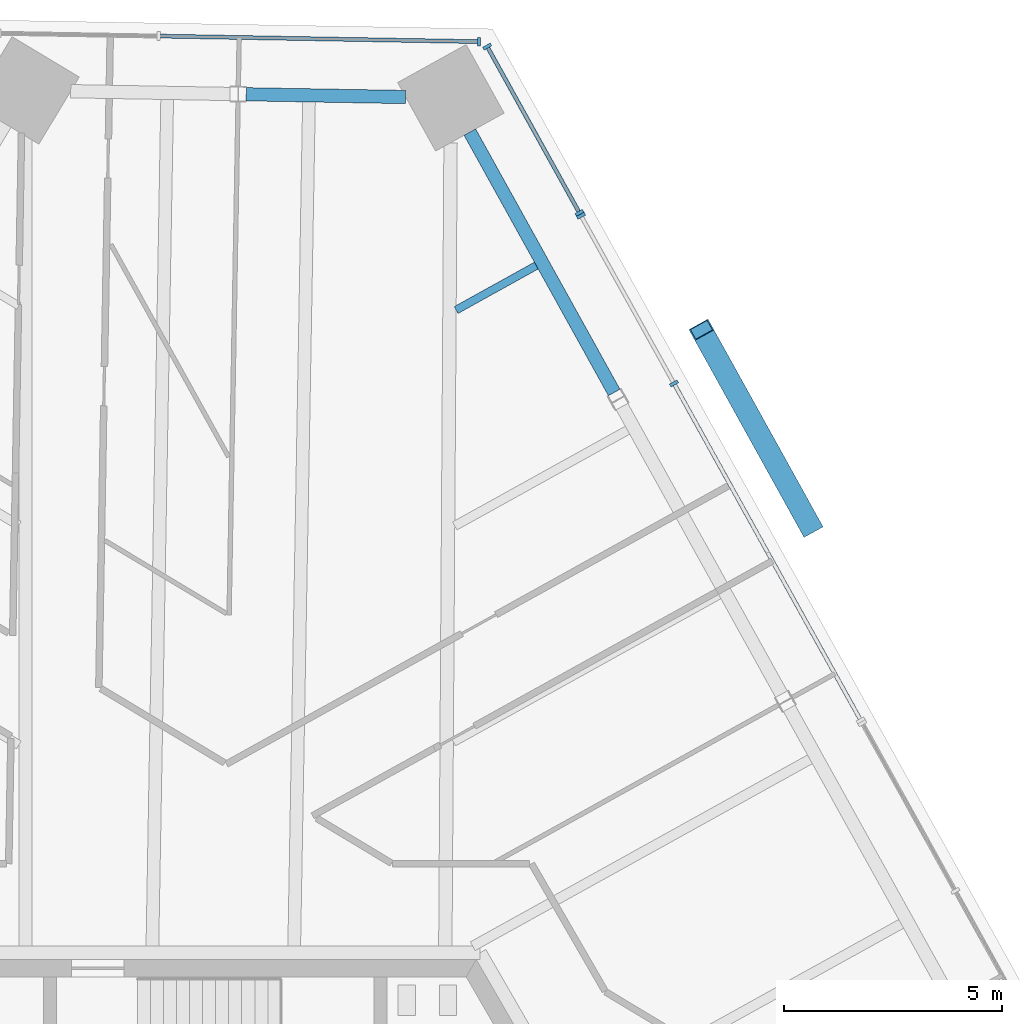
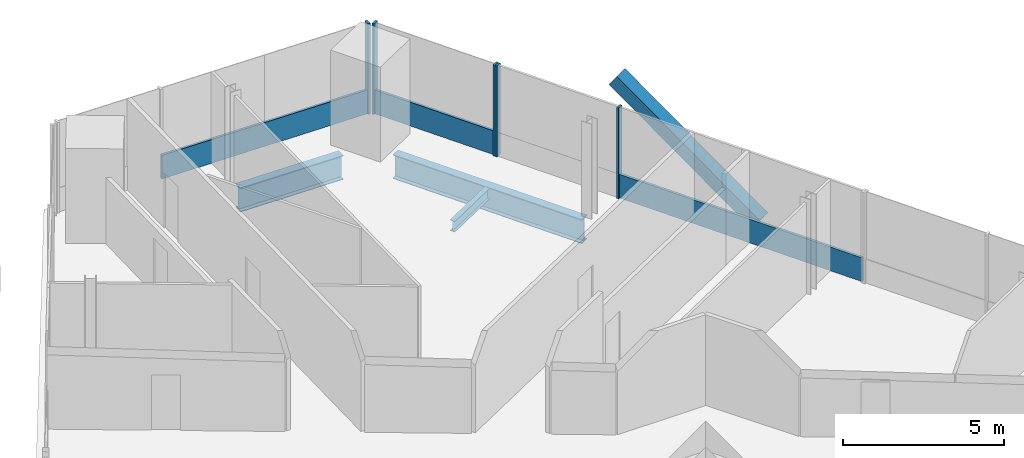
# One storey, part 9 of 19: 9 members, 3 beams, 3 elements without a shape of their own.
"""IFC4 building model written with IfcOpenShell, lengths in metres."""

from ifc_helpers import new_model, si_unit, direction, frame, origin, origin_2d, place, context, subcontext, project, spatial, rectangle, hollow_rectangle, i_section, extrude, source, transform, mapped, material, material_profile, profile_set, type_object, element, aggregate, save


model = new_model("IFC4")

# Units and contexts
model_context = context("Model", 3, precision=1e-05, world=origin(), true_north=direction((0.0, 1.0)))
body_context = subcontext(model_context, "Body", "Model", "MODEL_VIEW")
ifc_project = project(units=[si_unit("LENGTHUNIT", "METRE"), si_unit("AREAUNIT", "SQUARE_METRE"), si_unit("VOLUMEUNIT", "CUBIC_METRE"), si_unit("PLANEANGLEUNIT", "RADIAN"), si_unit("MASSUNIT", "GRAM", prefix="KILO")], contexts=[model_context])

# Site, building, storey
site_placement = place(None, origin())
site = spatial("IfcSite", under=ifc_project, at=site_placement, CompositionType="ELEMENT")
building_placement = place(site_placement, origin())
building = spatial("IfcBuilding", under=site, at=building_placement, Name="Triune Harvest Tower", CompositionType="ELEMENT")
storey_placement = place(building_placement, frame((0.0, 0.0, 205.10009765625)))
storey = spatial("IfcBuildingStorey", under=building, at=storey_placement, Name="L53", CompositionType="ELEMENT", Elevation=205.10009765625)

# Beams
ifc_material_1 = material(Name="Steel ASTM A992 Gr 50", Category="steel")
ifc_material_profile_1 = material_profile(ifc_material_1, i_section(OverallWidth=0.3046875, OverallDepth=0.914306640625, WebThickness=0.0166015625, FlangeThickness=0.02587890625, at=origin_2d()), Name="W36x160")
ifc_profile_set_1 = profile_set([ifc_material_profile_1], Name="Steel ASTM A992 Gr 50")
beam_type_1 = type_object("IfcBeamType", Name="SB-1 Spandrel beam W36x160", PredefinedType="SPANDREL", material=ifc_profile_set_1)
shared_shape_1 = source(origin(), body_context, "Body", "SweptSolid", [
    extrude(i_section(OverallWidth=0.3046875, OverallDepth=0.914306640625, WebThickness=0.0166015625, FlangeThickness=0.02587890625, at=origin_2d()), origin(), (0.0, 0.0, 1.0), 6.841796875),
])
beam_1_placement = place(storey_placement, frame((9.16943359375, 23.421875, -0.6171875), z_axis=(-0.484833781575, 0.87460631386, 0.0), x_axis=(-0.87460631386, -0.484833781575, 0.0)))
element("IfcBeam", 1, at=beam_1_placement, inside=storey, type_object=beam_type_1, Name="beam/L53/SB6", PredefinedType="SPANDREL", context=body_context, shape_type="MappedRepresentation", body=[
    mapped(shared_shape_1, transform((0.0, 0.0, 0.0), scale=1.0)),
])
shared_shape_2 = source(origin(), body_context, "Body", "SweptSolid", [
    extrude(i_section(OverallWidth=0.3046875, OverallDepth=0.914306640625, WebThickness=0.0166015625, FlangeThickness=0.02587890625, at=origin_2d()), origin(), (0.0, 0.0, 1.0), 3.66357421875),
])
beam_2_placement = place(storey_placement, frame((4.376953125, 30.211181640625, -0.6171875), z_axis=(-0.999847573959, 0.017459348466, 0.0), x_axis=(-0.017459348466, -0.999847573959, 0.0)))
element("IfcBeam", 2, at=beam_2_placement, inside=storey, type_object=beam_type_1, Name="beam/L53/SB7", PredefinedType="SPANDREL", context=body_context, shape_type="MappedRepresentation", body=[
    mapped(shared_shape_2, transform((0.0, 0.0, 0.0), scale=1.0)),
])
ifc_material_2 = material(Name="Steel ASTM A992 Gr 50", Category="steel")
ifc_material_profile_2 = material_profile(ifc_material_2, i_section(OverallWidth=0.180908203125, OverallDepth=0.41650390625, WebThickness=0.010986328125, FlangeThickness=0.01806640625, at=origin_2d()), Name="W16x57")
ifc_profile_set_2 = profile_set([ifc_material_profile_2], Name="Steel ASTM A992 Gr 50")
beam_type_2 = type_object("IfcBeamType", Name="JT-1 Floor joist W16x57", PredefinedType="JOIST", material=ifc_profile_set_2)
shared_shape_3 = source(origin(), body_context, "Body", "SweptSolid", [
    extrude(i_section(OverallWidth=0.180908203125, OverallDepth=0.41650390625, WebThickness=0.010986328125, FlangeThickness=0.01806640625, at=origin_2d()), origin(), (0.0, 0.0, 1.0), 2.10498046875),
])
beam_3_placement = place(storey_placement, frame((7.379150390625, 26.33740234375, -0.368408203125), z_axis=(-0.874621898411, -0.484805667067, 0.0), x_axis=(0.484805667067, -0.874621898411, 0.0)))
element("IfcBeam", 3, at=beam_3_placement, inside=storey, type_object=beam_type_2, Name="beam/L53/JT10", PredefinedType="JOIST", context=body_context, shape_type="MappedRepresentation", body=[
    mapped(shared_shape_3, transform((0.0, 0.0, 0.0), scale=1.0)),
])

# Member
ifc_material_3 = material(Name="Steel ASTM A572 Gr 50", Category="steel")
ifc_material_profile_3 = material_profile(ifc_material_3, hollow_rectangle(XDim=0.5, YDim=0.5, WallThickness=0.030029296875, at=origin_2d()), Name="Box 500x500x30")
ifc_profile_set_3 = profile_set([ifc_material_profile_3], Name="Steel ASTM A572 Gr 50")
member_type_1 = type_object("IfcMemberType", Name="BR-3 Brace Box 500x500x30", PredefinedType="BRACE", material=ifc_profile_set_3)
shared_shape_4 = source(origin(), body_context, "Body", "SweptSolid", [
    extrude(hollow_rectangle(XDim=0.5, YDim=0.5, WallThickness=0.030029296875, at=origin_2d()), origin(), (0.0, 0.0, 1.0), 6.302978515625),
])
member_1_placement = place(storey_placement, frame((13.682373046875, 20.337890625, 0.0), z_axis=(-0.397922582471, 0.717949485651, 0.571144600266), x_axis=(-0.874642081794, -0.484769253103, 0.0)))
element("IfcMember", 4, at=member_1_placement, inside=storey, type_object=member_type_1, Name="brace/B5-F1/d1/8", PredefinedType="BRACE", context=body_context, shape_type="MappedRepresentation", body=[
    mapped(shared_shape_4, transform((0.0, 0.0, 0.0), scale=1.0)),
])

# Curtain wall, members
ifc_material_4 = material(Name="Aluminium bronze anodised", Category="aluminium")
curtain_wall_type_1 = type_object("IfcCurtainWallType", Name="CW-7 Tower stick curtain wall with insulated spandrel infill", PredefinedType="NOTDEFINED", material=ifc_material_4)
curtain_wall_1_placement = place(storey_placement, origin())
curtain_wall_1 = element("IfcCurtainWall", 5, at=curtain_wall_1_placement, inside=storey, type_object=curtain_wall_type_1, Name="CW-7 B5-F1 L53 run 3001")
ifc_material_5 = material(Name="Aluminium bronze anodised", Category="aluminium")
ifc_material_profile_4 = material_profile(ifc_material_5, rectangle(XDim=0.199951171875, YDim=0.074951171875, at=origin_2d()), Name="MU-1 mullion 75 x 200")
ifc_profile_set_4 = profile_set([ifc_material_profile_4], Name="Aluminium bronze anodised")
member_type_2 = type_object("IfcMemberType", Name="MU-1 mullion 75 x 200", PredefinedType="MULLION", material=ifc_profile_set_4)
shared_shape_5 = source(origin(), body_context, "Body", "SweptSolid", [
    extrude(rectangle(XDim=0.199951171875, YDim=0.074951171875, at=origin_2d()), origin(), (0.0, 0.0, 1.0), 3.43994140625),
])
member_2_placement = place(storey_placement, frame((10.54345703125, 23.629150390625, 0.0), z_axis=(0.0, 0.0, 1.0), x_axis=(-0.874621401605, -0.484806563337, 0.0)))
member_2 = element("IfcMember", 6, at=member_2_placement, type_object=member_type_2, Name="CW-7 mullion B5-F1 3001.3", PredefinedType="MULLION", context=body_context, shape_type="MappedRepresentation", body=[
    mapped(shared_shape_5, transform((0.0, 0.0, 0.0), scale=1.0)),
])
member_3_placement = place(storey_placement, frame((8.406982421875, 27.4833984375, 0.0), z_axis=(0.0, 0.0, 1.0), x_axis=(-0.874621401605, -0.484806563337, 0.0)))
member_3 = element("IfcMember", 7, at=member_3_placement, type_object=member_type_2, Name="CW-7 mullion B5-F1 3001.4", PredefinedType="MULLION", context=body_context, shape_type="MappedRepresentation", body=[
    mapped(shared_shape_5, transform((0.0, 0.0, 0.0), scale=1.0)),
])

ifc_material_6 = material(Name="Aluminium bronze anodised", Category="aluminium")
curtain_wall_type_2 = type_object("IfcCurtainWallType", Name="CW-1 Tower stick curtain wall", PredefinedType="NOTDEFINED", material=ifc_material_6)
curtain_wall_2_placement = place(storey_placement, origin())
curtain_wall_2 = element("IfcCurtainWall", 8, at=curtain_wall_2_placement, inside=storey, type_object=curtain_wall_type_2, Name="CW-1 B5-F1 L53 run 4001")
member_4_placement = place(storey_placement, frame((8.37060546875, 27.548828125, 0.0), z_axis=(0.0, 0.0, 1.0), x_axis=(-0.874617675173, -0.484813285993, 0.0)))
member_4 = element("IfcMember", 9, at=member_4_placement, type_object=member_type_2, Name="CW-1 mullion B5-F1 4001.1", PredefinedType="MULLION", context=body_context, shape_type="MappedRepresentation", body=[
    mapped(shared_shape_5, transform((0.0, 0.0, 0.0), scale=1.0)),
])
member_5_placement = place(storey_placement, frame((6.252197265625, 31.370361328125, 0.0), z_axis=(0.0, 0.0, 1.0), x_axis=(-0.874617675173, -0.484813285993, 0.0)))
member_5 = element("IfcMember", 10, at=member_5_placement, type_object=member_type_2, Name="CW-1 mullion B5-F1 4001.2", PredefinedType="MULLION", context=body_context, shape_type="MappedRepresentation", body=[
    mapped(shared_shape_5, transform((0.0, 0.0, 0.0), scale=1.0)),
])

curtain_wall_3_placement = place(storey_placement, origin())
curtain_wall_3 = element("IfcCurtainWall", 11, at=curtain_wall_3_placement, inside=storey, type_object=curtain_wall_type_2, Name="CW-1 B5-F2 L53 run 1")
member_6_placement = place(storey_placement, frame((6.06298828125, 31.484130859375, 0.0), z_axis=(0.0, 0.0, 1.0), x_axis=(-0.017446318452, -0.999847801404, 0.0)))
member_6 = element("IfcMember", 12, at=member_6_placement, type_object=member_type_2, Name="CW-1 mullion B5-F2 1.1", PredefinedType="MULLION", context=body_context, shape_type="MappedRepresentation", body=[
    mapped(shared_shape_5, transform((0.0, 0.0, 0.0), scale=1.0)),
])
ifc_material_7 = material(Name="Aluminium bronze anodised", Category="aluminium")
ifc_material_profile_5 = material_profile(ifc_material_7, rectangle(XDim=0.090087890625, YDim=0.89990234375, at=origin_2d()), Name="TR-1 transom 90 x 900")
ifc_profile_set_5 = profile_set([ifc_material_profile_5], Name="Aluminium bronze anodised")
member_type_3 = type_object("IfcMemberType", Name="TR-1 transom 90 x 900", PredefinedType="USERDEFINED", material=ifc_profile_set_5)
shared_shape_6 = source(origin(), body_context, "Body", "SweptSolid", [
    extrude(rectangle(XDim=0.090087890625, YDim=0.89990234375, at=origin_2d()), origin(), (0.0, 0.0, 1.0), 7.287841796875),
])
member_7_placement = place(storey_placement, frame((6.025634765625, 31.48486328125, 0.449951171875), z_axis=(-0.999848258084, 0.017420126456, 0.0), x_axis=(-0.017420126456, -0.999848258084, 0.0)))
member_7 = element("IfcMember", 13, at=member_7_placement, type_object=member_type_3, Name="CW-1 transom B5-F2 1.1", ObjectType="TRANSOM", PredefinedType="USERDEFINED", context=body_context, shape_type="MappedRepresentation", body=[
    mapped(shared_shape_6, transform((0.0, 0.0, 0.0), scale=1.0)),
])
aggregate(curtain_wall_3, [member_6, member_7])

# Member
shared_shape_7 = source(origin(), body_context, "Body", "SweptSolid", [
    extrude(rectangle(XDim=0.090087890625, YDim=0.89990234375, at=origin_2d()), origin(), (0.0, 0.0, 1.0), 8.77587890625),
])
member_8_placement = place(storey_placement, frame((14.816162109375, 15.920654296875, 0.449951171875), z_axis=(-0.484811274434, 0.874618790206, 0.0), x_axis=(-0.874618790206, -0.484811274434, 0.0)))
member_8 = element("IfcMember", 14, at=member_8_placement, type_object=member_type_3, Name="CW-7 transom B5-F1 3001.1", ObjectType="TRANSOM", PredefinedType="USERDEFINED", context=body_context, shape_type="MappedRepresentation", body=[
    mapped(shared_shape_7, transform((0.0, 0.0, 0.0), scale=1.0)),
])

aggregate(curtain_wall_1, [member_2, member_3, member_8])

shared_shape_8 = source(origin(), body_context, "Body", "SweptSolid", [
    extrude(rectangle(XDim=0.090087890625, YDim=0.89990234375, at=origin_2d()), origin(), (0.0, 0.0, 1.0), 4.29443359375),
])
member_9_placement = place(storey_placement, frame((8.3525390625, 27.581787109375, 0.449951171875), z_axis=(-0.48483178017, 0.874607423326, 0.0), x_axis=(-0.874607423326, -0.48483178017, 0.0)))
member_9 = element("IfcMember", 15, at=member_9_placement, type_object=member_type_3, Name="CW-1 transom B5-F1 4001.1", ObjectType="TRANSOM", PredefinedType="USERDEFINED", context=body_context, shape_type="MappedRepresentation", body=[
    mapped(shared_shape_8, transform((0.0, 0.0, 0.0), scale=1.0)),
])

aggregate(curtain_wall_2, [member_4, member_5, member_9])

save(model, "model.ifc")
